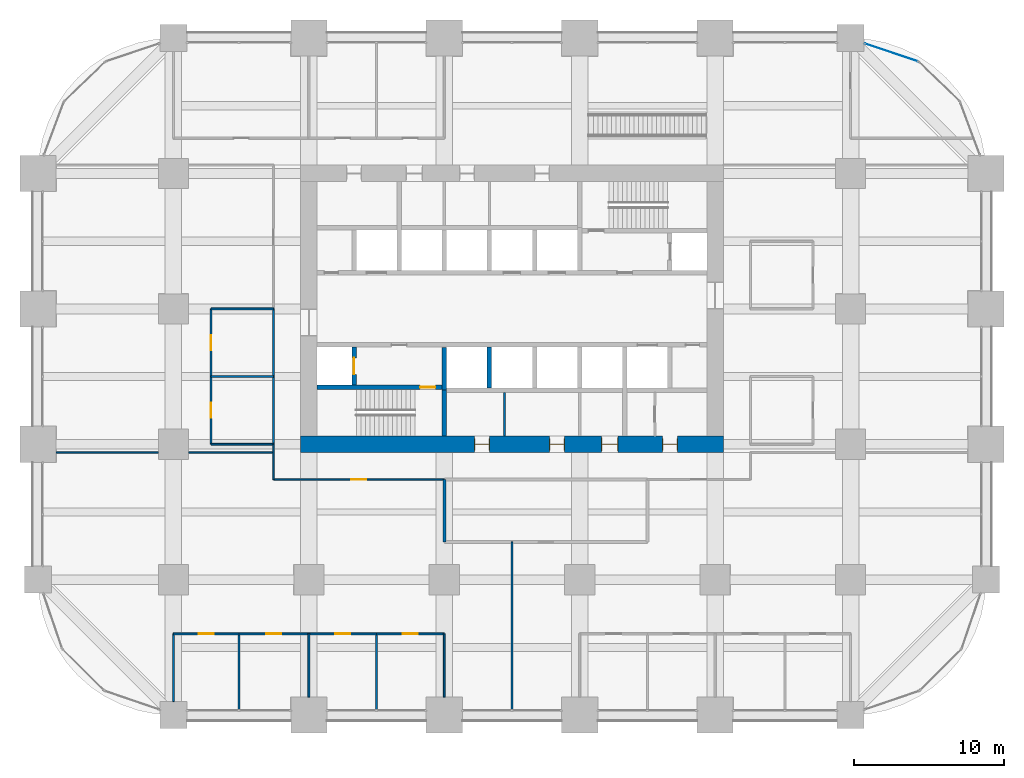
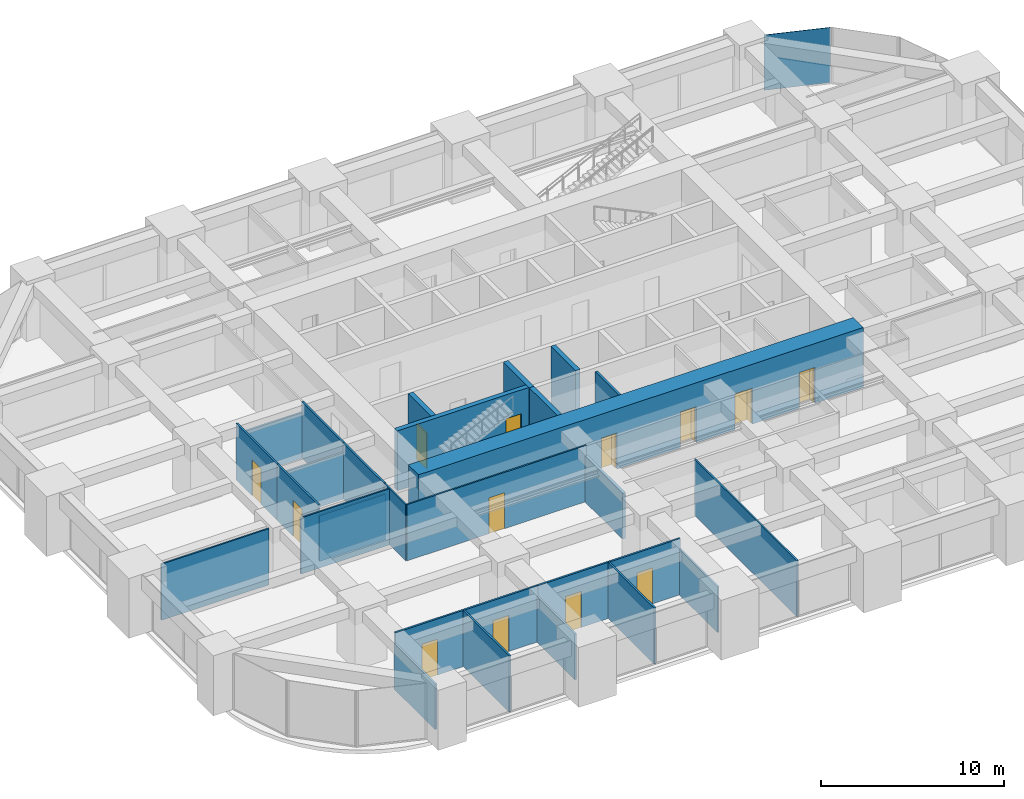
# One storey, part 36 of 41: 29 walls, 13 doors, 1 plate, 13 openings, 1 element without a shape of its own.
"""IFC4 building model written with IfcOpenShell, lengths in metres."""

from ifc_helpers import new_model, si_unit, direction, frame, frame_2d, origin, origin_2d, place, context, subcontext, project, spatial, rectangle, extrude, material, layer, layer_set, type_object, element, fill, aggregate, save


model = new_model("IFC4")

# Units and contexts
model_context = context("Model", 3, precision=1e-05, world=origin(), true_north=direction((0.0, 1.0)))
body_context = subcontext(model_context, "Body", "Model", "MODEL_VIEW")
ifc_project = project(units=[si_unit("LENGTHUNIT", "METRE"), si_unit("AREAUNIT", "SQUARE_METRE"), si_unit("VOLUMEUNIT", "CUBIC_METRE"), si_unit("PLANEANGLEUNIT", "RADIAN"), si_unit("MASSUNIT", "GRAM", prefix="KILO")], contexts=[model_context])

# Site, building, storey
site_placement = place(None, origin())
site = spatial("IfcSite", under=ifc_project, at=site_placement, CompositionType="ELEMENT")
building_placement = place(site_placement, origin())
building = spatial("IfcBuilding", under=site, at=building_placement, Name="Zorevar Civic Tower", CompositionType="ELEMENT")
storey_placement = place(building_placement, frame((0.0, 0.0, 97.0)))
storey = spatial("IfcBuildingStorey", under=building, at=storey_placement, Name="L23", CompositionType="ELEMENT", Elevation=97.0)

# Curtain wall, plate
ifc_material_1 = material(Name="Dark grey solar-control glass in black aluminium frame", Category="aluminium")
curtain_wall_type = type_object("IfcCurtainWallType", Name="Curtain wall CW3 mid zone", PredefinedType="NOTDEFINED", material=ifc_material_1)
curtain_wall_placement = place(storey_placement, origin())
curtain_wall = element("IfcCurtainWall", 1, at=curtain_wall_placement, inside=storey, type_object=curtain_wall_type, Name="CW3 L23", PredefinedType="NOTDEFINED")
ifc_material_2 = material(Name="Dark grey solar-control glass", Category="glass")
ifc_layer_1 = layer(ifc_material_2, 0.030029296875)
ifc_layer_set_1 = layer_set([ifc_layer_1], Name="CW3 panel 30")
plate_type = type_object("IfcPlateType", Name="CW3 panel 30", PredefinedType="CURTAIN_PANEL", material=ifc_layer_set_1)
plate_placement = place(storey_placement, frame((56.7109375, 44.04296875, 0.06005859375), z_axis=(0.0, 0.0, 1.0), x_axis=(-0.947615765406, 0.319412525043, 0.0)))
plate = element("IfcPlate", 2, at=plate_placement, type_object=plate_type, Name="CW3 panel 1.1", PredefinedType="CURTAIN_PANEL", context=body_context, shape_type="SweptSolid", body=[
    extrude(rectangle(XDim=3.7021484375, YDim=0.030029296875, at=origin_2d()), origin(), (0.0, 0.0, 1.0), 3.68994140625),
])
aggregate(curtain_wall, [plate])

# Wall
ifc_material_3 = material(Name="Concrete blockwork", Category="masonry")
ifc_layer_2 = layer(ifc_material_3, 0.199951171875)
ifc_layer_set_2 = layer_set([ifc_layer_2], Name="Blockwork wall 200")
wall_type_1 = type_object("IfcWallType", Name="Blockwork wall 200", PredefinedType="SOLIDWALL", material=ifc_layer_set_2)
wall_1_placement = place(storey_placement, frame((27.0, 11.5, 0.0), z_axis=(0.0, 0.0, 1.0), x_axis=(0.0, 1.0, 0.0)))
element("IfcWall", 3, at=wall_1_placement, inside=storey, type_object=wall_type_1, Name="Blockwork wall 200 L23", PredefinedType="SOLIDWALL", context=body_context, shape_type="SweptSolid", body=[
    extrude(rectangle(XDim=4.14990234375, YDim=0.199951171875, at=frame_2d((2.074951171875, 0.0))), origin(), (0.0, 0.0, 1.0), 3.050048828125),
])

# Wall, openings, doors
ifc_material_4 = material(Name="Concrete C50/60", Category="concrete")
ifc_layer_3 = layer(ifc_material_4, 1.10009765625)
ifc_layer_set_3 = layer_set([ifc_layer_3], Name="Core wall 1100")
wall_type_2 = type_object("IfcWallType", Name="Core wall 1100", PredefinedType="SHEAR", material=ifc_layer_set_3)
wall_2_placement = place(storey_placement, frame((17.449951171875, 18.0, 0.0), z_axis=(0.0, 0.0, 1.0), x_axis=(1.0, 0.0, 0.0)))
wall_2 = element("IfcWall", 4, at=wall_2_placement, inside=storey, type_object=wall_type_2, Name="Core wall S L23", PredefinedType="SHEAR", context=body_context, shape_type="SweptSolid", body=[
    extrude(rectangle(XDim=28.10009765625, YDim=1.10009765625, at=frame_2d((14.050048828125, 0.0))), origin(), (0.0, 0.0, 1.0), 4.0),
])
opening_1_placement = place(wall_2_placement, frame((11.550048828125, 0.0, 0.0)))
opening_1 = element("IfcOpeningElement", 5, at=opening_1_placement, cuts=wall_2, Name="Opening L23.03", PredefinedType="OPENING", context=body_context, shape_type="SweptSolid", body=[
    extrude(rectangle(XDim=1.0, YDim=2.39990234375, at=frame_2d((0.5, 1.199951171875))), frame((0.0, 0.56005859375, 0.0), z_axis=(0.0, -1.0, 0.0), x_axis=(1.0, 0.0, 0.0)), (0.0, 0.0, 1.0), 1.1201171875),
])
opening_2_placement = place(wall_2_placement, frame((16.550048828125, 0.0, 0.0)))
opening_2 = element("IfcOpeningElement", 6, at=opening_2_placement, cuts=wall_2, Name="Opening L23.04", PredefinedType="OPENING", context=body_context, shape_type="SweptSolid", body=[
    extrude(rectangle(XDim=1.0, YDim=2.39990234375, at=frame_2d((0.5, 1.199951171875))), frame((0.0, 0.56005859375, 0.0), z_axis=(0.0, -1.0, 0.0), x_axis=(1.0, 0.0, 0.0)), (0.0, 0.0, 1.0), 1.1201171875),
])
opening_3_placement = place(wall_2_placement, frame((20.0, 0.0, 0.0)))
opening_3 = element("IfcOpeningElement", 7, at=opening_3_placement, cuts=wall_2, Name="Opening L23.05", PredefinedType="OPENING", context=body_context, shape_type="SweptSolid", body=[
    extrude(rectangle(XDim=1.10009765625, YDim=2.39990234375, at=frame_2d((0.550048828125, 1.199951171875))), frame((0.0, 0.56005859375, 0.0), z_axis=(0.0, -1.0, 0.0), x_axis=(1.0, 0.0, 0.0)), (0.0, 0.0, 1.0), 1.1201171875),
])
opening_4_placement = place(wall_2_placement, frame((24.050048828125, 0.0, 0.0)))
opening_4 = element("IfcOpeningElement", 8, at=opening_4_placement, cuts=wall_2, Name="Opening L23.06", PredefinedType="OPENING", context=body_context, shape_type="SweptSolid", body=[
    extrude(rectangle(XDim=1.0, YDim=2.39990234375, at=frame_2d((0.5, 1.199951171875))), frame((0.0, 0.56005859375, 0.0), z_axis=(0.0, -1.0, 0.0), x_axis=(1.0, 0.0, 0.0)), (0.0, 0.0, 1.0), 1.1201171875),
])
ifc_material_5 = material(Name="Timber door set", Category="wood")
door_type_1 = type_object("IfcDoorType", Name="Door D1 1000x2400", OperationType="SINGLE_SWING_LEFT", PredefinedType="DOOR", material=ifc_material_5)
door_1_placement = place(opening_1_placement, origin())
door_1 = element("IfcDoor", 9, at=door_1_placement, inside=storey, type_object=door_type_1, Name="Door L23 02", OperationType="SINGLE_SWING_RIGHT", OverallHeight=2.39990234375, OverallWidth=1.0, PredefinedType="DOOR", context=body_context, shape_type="SweptSolid", body=[
    extrude(rectangle(XDim=1.0, YDim=2.39990234375, at=frame_2d((0.5, 1.199951171875))), frame((0.0, 0.02490234375, 0.0), z_axis=(0.0, -1.0, 0.0), x_axis=(1.0, 0.0, 0.0)), (0.0, 0.0, 1.0), 0.050048828125),
    extrude(rectangle(XDim=0.04, YDim=2.39990234375, at=frame_2d((0.02001953125, 1.199951171875))), frame((0.0, 0.39990234375, 0.0), z_axis=(0.0, -1.0, 0.0), x_axis=(1.0, 0.0, 0.0)), (0.0, 0.0, 1.0), 0.800048828125),
    extrude(rectangle(XDim=0.04, YDim=2.39990234375, at=frame_2d((0.97998046875, 1.199951171875))), frame((0.0, 0.39990234375, 0.0), z_axis=(0.0, -1.0, 0.0), x_axis=(1.0, 0.0, 0.0)), (0.0, 0.0, 1.0), 0.800048828125),
    extrude(rectangle(XDim=1.0, YDim=0.04, at=frame_2d((0.5, 2.3798828125))), frame((0.0, 0.39990234375, 0.0), z_axis=(0.0, -1.0, 0.0), x_axis=(1.0, 0.0, 0.0)), (0.0, 0.0, 1.0), 0.800048828125),
])
fill(opening_1, door_1)
door_2_placement = place(opening_2_placement, origin())
door_2 = element("IfcDoor", 10, at=door_2_placement, inside=storey, type_object=door_type_1, Name="Door L23 03", OperationType="SINGLE_SWING_LEFT", OverallHeight=2.39990234375, OverallWidth=1.0, PredefinedType="DOOR", context=body_context, shape_type="SweptSolid", body=[
    extrude(rectangle(XDim=1.0, YDim=2.39990234375, at=frame_2d((0.5, 1.199951171875))), frame((0.0, 0.02490234375, 0.0), z_axis=(0.0, -1.0, 0.0), x_axis=(1.0, 0.0, 0.0)), (0.0, 0.0, 1.0), 0.050048828125),
    extrude(rectangle(XDim=0.04, YDim=2.39990234375, at=frame_2d((0.02001953125, 1.199951171875))), frame((0.0, 0.39990234375, 0.0), z_axis=(0.0, -1.0, 0.0), x_axis=(1.0, 0.0, 0.0)), (0.0, 0.0, 1.0), 0.800048828125),
    extrude(rectangle(XDim=0.04, YDim=2.39990234375, at=frame_2d((0.97998046875, 1.199951171875))), frame((0.0, 0.39990234375, 0.0), z_axis=(0.0, -1.0, 0.0), x_axis=(1.0, 0.0, 0.0)), (0.0, 0.0, 1.0), 0.800048828125),
    extrude(rectangle(XDim=1.0, YDim=0.04, at=frame_2d((0.5, 2.3798828125))), frame((0.0, 0.39990234375, 0.0), z_axis=(0.0, -1.0, 0.0), x_axis=(1.0, 0.0, 0.0)), (0.0, 0.0, 1.0), 0.800048828125),
])
fill(opening_2, door_2)
door_3_placement = place(opening_4_placement, origin())
door_3 = element("IfcDoor", 11, at=door_3_placement, inside=storey, type_object=door_type_1, Name="Door L23 05", OperationType="SINGLE_SWING_LEFT", OverallHeight=2.39990234375, OverallWidth=1.0, PredefinedType="DOOR", context=body_context, shape_type="SweptSolid", body=[
    extrude(rectangle(XDim=1.0, YDim=2.39990234375, at=frame_2d((0.5, 1.199951171875))), frame((0.0, 0.02490234375, 0.0), z_axis=(0.0, -1.0, 0.0), x_axis=(1.0, 0.0, 0.0)), (0.0, 0.0, 1.0), 0.050048828125),
    extrude(rectangle(XDim=0.04, YDim=2.39990234375, at=frame_2d((0.02001953125, 1.199951171875))), frame((0.0, 0.39990234375, 0.0), z_axis=(0.0, -1.0, 0.0), x_axis=(1.0, 0.0, 0.0)), (0.0, 0.0, 1.0), 0.800048828125),
    extrude(rectangle(XDim=0.04, YDim=2.39990234375, at=frame_2d((0.97998046875, 1.199951171875))), frame((0.0, 0.39990234375, 0.0), z_axis=(0.0, -1.0, 0.0), x_axis=(1.0, 0.0, 0.0)), (0.0, 0.0, 1.0), 0.800048828125),
    extrude(rectangle(XDim=1.0, YDim=0.04, at=frame_2d((0.5, 2.3798828125))), frame((0.0, 0.39990234375, 0.0), z_axis=(0.0, -1.0, 0.0), x_axis=(1.0, 0.0, 0.0)), (0.0, 0.0, 1.0), 0.800048828125),
])
fill(opening_4, door_3)
ifc_material_6 = material(Name="Timber door set", Category="wood")
door_type_2 = type_object("IfcDoorType", Name="Door D5 1100x2400", OperationType="SINGLE_SWING_LEFT", PredefinedType="DOOR", material=ifc_material_6)
door_4_placement = place(opening_3_placement, origin())
door_4 = element("IfcDoor", 12, at=door_4_placement, inside=storey, type_object=door_type_2, Name="Door L23 04", OperationType="SINGLE_SWING_LEFT", OverallHeight=2.39990234375, OverallWidth=1.10009765625, PredefinedType="DOOR", context=body_context, shape_type="SweptSolid", body=[
    extrude(rectangle(XDim=1.10009765625, YDim=2.39990234375, at=frame_2d((0.550048828125, 1.199951171875))), frame((0.0, 0.02490234375, 0.0), z_axis=(0.0, -1.0, 0.0), x_axis=(1.0, 0.0, 0.0)), (0.0, 0.0, 1.0), 0.050048828125),
    extrude(rectangle(XDim=0.04, YDim=2.39990234375, at=frame_2d((0.02001953125, 1.199951171875))), frame((0.0, 0.43994140625, 0.0), z_axis=(0.0, -1.0, 0.0), x_axis=(1.0, 0.0, 0.0)), (0.0, 0.0, 1.0), 0.880126953125),
    extrude(rectangle(XDim=0.04, YDim=2.39990234375, at=frame_2d((1.080078125, 1.199951171875))), frame((0.0, 0.43994140625, 0.0), z_axis=(0.0, -1.0, 0.0), x_axis=(1.0, 0.0, 0.0)), (0.0, 0.0, 1.0), 0.880126953125),
    extrude(rectangle(XDim=1.10009765625, YDim=0.04, at=frame_2d((0.550048828125, 2.3798828125))), frame((0.0, 0.43994140625, 0.0), z_axis=(0.0, -1.0, 0.0), x_axis=(1.0, 0.0, 0.0)), (0.0, 0.0, 1.0), 0.880126953125),
])
fill(opening_3, door_4)

# Wall, opening, door
ifc_material_7 = material(Name="Laminated glass in black aluminium frame", Category="aluminium")
ifc_layer_4 = layer(ifc_material_7, 0.10009765625)
ifc_layer_set_4 = layer_set([ifc_layer_4], Name="Glazed partition 100")
wall_type_3 = type_object("IfcWallType", Name="Glazed partition 100", PredefinedType="PARTITIONING", material=ifc_layer_set_4)
wall_3_placement = place(storey_placement, frame((15.64990234375, 15.64990234375, 0.0), z_axis=(0.0, 0.0, 1.0), x_axis=(1.0, 0.0, 0.0)))
wall_3 = element("IfcWall", 13, at=wall_3_placement, inside=storey, type_object=wall_type_3, Name="Glazed partition 100 L23", PredefinedType="PARTITIONING", context=body_context, shape_type="SweptSolid", body=[
    extrude(rectangle(XDim=11.35009765625, YDim=0.10009765625, at=frame_2d((5.675048828125, 0.0))), origin(), (0.0, 0.0, 1.0), 3.75),
])
opening_5_placement = place(wall_3_placement, frame((5.175048828125, 0.0, 0.0)))
opening_5 = element("IfcOpeningElement", 14, at=opening_5_placement, cuts=wall_3, Name="Opening L23.26", PredefinedType="OPENING", context=body_context, shape_type="SweptSolid", body=[
    extrude(rectangle(XDim=1.0, YDim=2.39990234375, at=frame_2d((0.5, 1.199951171875))), frame((0.0, 0.06005859375, 0.0), z_axis=(0.0, -1.0, 0.0), x_axis=(1.0, 0.0, 0.0)), (0.0, 0.0, 1.0), 0.1201171875),
])
ifc_material_8 = material(Name="Timber door set", Category="wood")
door_type_3 = type_object("IfcDoorType", Name="Glazed door GD1 1000x2400", OperationType="SINGLE_SWING_LEFT", PredefinedType="DOOR", material=ifc_material_8)
door_5_placement = place(opening_5_placement, origin())
door_5 = element("IfcDoor", 15, at=door_5_placement, inside=storey, type_object=door_type_3, Name="Door L23 D1", OperationType="SINGLE_SWING_RIGHT", OverallHeight=2.39990234375, OverallWidth=1.0, PredefinedType="DOOR", context=body_context, shape_type="SweptSolid", body=[
    extrude(rectangle(XDim=1.0, YDim=2.39990234375, at=frame_2d((0.5, 1.199951171875))), frame((0.0, 0.02001953125, 0.0), z_axis=(0.0, -1.0, 0.0), x_axis=(1.0, 0.0, 0.0)), (0.0, 0.0, 1.0), 0.0400390625),
])
fill(opening_5, door_5)

# Walls
wall_4_placement = place(storey_placement, frame((1.199951171875, 17.449951171875, 0.0), z_axis=(0.0, 0.0, 1.0), x_axis=(1.0, 0.0, 0.0)))
element("IfcWall", 16, at=wall_4_placement, inside=storey, type_object=wall_type_3, Name="Glazed partition 100 L23", PredefinedType="PARTITIONING", context=body_context, shape_type="SweptSolid", body=[
    extrude(rectangle(XDim=6.800048828125, YDim=0.10009765625, at=frame_2d((3.39990234375, 0.0))), origin(), (0.0, 0.0, 1.0), 3.75),
])
wall_5_placement = place(storey_placement, frame((10.0, 17.449951171875, 0.0), z_axis=(0.0, 0.0, 1.0), x_axis=(1.0, 0.0, 0.0)))
element("IfcWall", 17, at=wall_5_placement, inside=storey, type_object=wall_type_3, Name="Glazed partition 100 L23", PredefinedType="PARTITIONING", context=body_context, shape_type="SweptSolid", body=[
    extrude(rectangle(XDim=5.64990234375, YDim=0.10009765625, at=frame_2d((2.824951171875, 0.0))), origin(), (0.0, 0.0, 1.0), 3.75),
])
wall_6_placement = place(storey_placement, frame((15.64990234375, 15.64990234375, 0.0), z_axis=(0.0, 0.0, 1.0), x_axis=(0.0, 1.0, 0.0)))
element("IfcWall", 18, at=wall_6_placement, inside=storey, type_object=wall_type_3, Name="Glazed partition 100 L23", PredefinedType="PARTITIONING", context=body_context, shape_type="SweptSolid", body=[
    extrude(rectangle(XDim=2.35009765625, YDim=0.10009765625, at=frame_2d((1.175048828125, 0.0))), origin(), (0.0, 0.0, 1.0), 3.75),
])
wall_7_placement = place(storey_placement, frame((31.5, 0.31005859375, 0.0), z_axis=(0.0, 0.0, 1.0), x_axis=(0.0, 1.0, 0.0)))
element("IfcWall", 19, at=wall_7_placement, inside=storey, type_object=wall_type_3, Name="Glazed partition 100 L23", PredefinedType="PARTITIONING", context=body_context, shape_type="SweptSolid", body=[
    extrude(rectangle(XDim=11.199951171875, YDim=0.10009765625, at=frame_2d((5.60009765625, 0.0))), origin(), (0.0, 0.0, 1.0), 3.75),
])

# Wall, opening, door
ifc_material_9 = material(Name="Concrete C40/50", Category="concrete")
ifc_layer_5 = layer(ifc_material_9, 0.300048828125)
ifc_layer_set_5 = layer_set([ifc_layer_5], Name="Inner core wall 300")
wall_type_4 = type_object("IfcWallType", Name="Inner core wall 300", PredefinedType="SHEAR", material=ifc_layer_set_5)
wall_8_placement = place(storey_placement, frame((18.550048828125, 21.800048828125, 0.0), z_axis=(0.0, 0.0, 1.0), x_axis=(1.0, 0.0, 0.0)))
wall_8 = element("IfcWall", 20, at=wall_8_placement, inside=storey, type_object=wall_type_4, Name="Inner core wall S00 L23", PredefinedType="SHEAR", context=body_context, shape_type="SweptSolid", body=[
    extrude(rectangle(XDim=8.300048828125, YDim=0.300048828125, at=frame_2d((4.14990234375, 0.0))), origin(), (0.0, 0.0, 1.0), 4.0),
])
opening_6_placement = place(wall_8_placement, frame((6.85009765625, 0.0, 0.0)))
opening_6 = element("IfcOpeningElement", 21, at=opening_6_placement, cuts=wall_8, Name="Opening L23.11", PredefinedType="OPENING", context=body_context, shape_type="SweptSolid", body=[
    extrude(rectangle(XDim=1.0, YDim=2.39990234375, at=frame_2d((0.5, 1.199951171875))), frame((0.0, 0.159912109375, 0.0), z_axis=(0.0, -1.0, 0.0), x_axis=(1.0, 0.0, 0.0)), (0.0, 0.0, 1.0), 0.320068359375),
])
ifc_material_10 = material(Name="Steel door set", Category="steel")
door_type_4 = type_object("IfcDoorType", Name="Fire door FD1 1000x2400", OperationType="SINGLE_SWING_LEFT", PredefinedType="DOOR", material=ifc_material_10)
door_6_placement = place(opening_6_placement, origin())
door_6 = element("IfcDoor", 22, at=door_6_placement, inside=storey, type_object=door_type_4, Name="Door L23 10", OperationType="SINGLE_SWING_RIGHT", OverallHeight=2.39990234375, OverallWidth=1.0, PredefinedType="DOOR", context=body_context, shape_type="SweptSolid", body=[
    extrude(rectangle(XDim=1.0, YDim=2.39990234375, at=frame_2d((0.5, 1.199951171875))), frame((0.0, 0.030029296875, 0.0), z_axis=(0.0, -1.0, 0.0), x_axis=(1.0, 0.0, 0.0)), (0.0, 0.0, 1.0), 0.06005859375),
])
fill(opening_6, door_6)

# Wall
wall_9_placement = place(storey_placement, frame((27.0, 18.550048828125, 0.0), z_axis=(0.0, 0.0, 1.0), x_axis=(0.0, 1.0, 0.0)))
element("IfcWall", 23, at=wall_9_placement, inside=storey, type_object=wall_type_4, Name="Inner core wall S01 L23", PredefinedType="SHEAR", context=body_context, shape_type="SweptSolid", body=[
    extrude(rectangle(XDim=3.050048828125, YDim=0.300048828125, at=frame_2d((1.52490234375, 0.0))), origin(), (0.0, 0.0, 1.0), 4.0),
])

# Wall, opening, door
wall_10_placement = place(storey_placement, frame((21.0, 21.949951171875, 0.0), z_axis=(0.0, 0.0, 1.0), x_axis=(0.0, 1.0, 0.0)))
wall_10 = element("IfcWall", 24, at=wall_10_placement, inside=storey, type_object=wall_type_4, Name="Inner core wall S02 L23", PredefinedType="SHEAR", context=body_context, shape_type="SweptSolid", body=[
    extrude(rectangle(XDim=2.5, YDim=0.300048828125, at=frame_2d((1.25, 0.0))), origin(), (0.0, 0.0, 1.0), 4.0),
])
opening_7_placement = place(wall_10_placement, frame((0.699951171875, 0.0, 0.0)))
opening_7 = element("IfcOpeningElement", 25, at=opening_7_placement, cuts=wall_10, Name="Opening L23.FL1", PredefinedType="OPENING", context=body_context, shape_type="SweptSolid", body=[
    extrude(rectangle(XDim=1.10009765625, YDim=2.39990234375, at=frame_2d((0.550048828125, 1.199951171875))), frame((0.0, 0.159912109375, 0.0), z_axis=(0.0, -1.0, 0.0), x_axis=(1.0, 0.0, 0.0)), (0.0, 0.0, 1.0), 0.320068359375),
])
ifc_material_11 = material(Name="Steel door set", Category="steel")
door_type_5 = type_object("IfcDoorType", Name="Firefighting lift landing door LD3 1100x2400", OperationType="DOUBLE_DOOR_SLIDING", PredefinedType="DOOR", material=ifc_material_11)
door_7_placement = place(opening_7_placement, origin())
door_7 = element("IfcDoor", 26, at=door_7_placement, inside=storey, type_object=door_type_5, Name="Landing door FL1 L23", OperationType="DOUBLE_DOOR_SLIDING", OverallHeight=2.39990234375, OverallWidth=1.10009765625, PredefinedType="DOOR", context=body_context, shape_type="SweptSolid", body=[
    extrude(rectangle(XDim=1.10009765625, YDim=2.39990234375, at=frame_2d((0.550048828125, 1.199951171875))), frame((0.0, 0.030029296875, 0.0), z_axis=(0.0, -1.0, 0.0), x_axis=(1.0, 0.0, 0.0)), (0.0, 0.0, 1.0), 0.06005859375),
])
fill(opening_7, door_7)

# Walls
wall_11_placement = place(storey_placement, frame((30.0, 21.75, 0.0), z_axis=(0.0, 0.0, 1.0), x_axis=(0.0, 1.0, 0.0)))
element("IfcWall", 27, at=wall_11_placement, inside=storey, type_object=wall_type_4, Name="Inner core wall S05 L23", PredefinedType="SHEAR", context=body_context, shape_type="SweptSolid", body=[
    extrude(rectangle(XDim=2.699951171875, YDim=0.300048828125, at=frame_2d((1.35009765625, 0.0))), origin(), (0.0, 0.0, 1.0), 4.0),
])
wall_12_placement = place(storey_placement, frame((27.0, 21.60009765625, 0.0), z_axis=(0.0, 0.0, 1.0), x_axis=(0.0, 1.0, 0.0)))
element("IfcWall", 28, at=wall_12_placement, inside=storey, type_object=wall_type_4, Name="Inner core wall S10 L23", PredefinedType="SHEAR", context=body_context, shape_type="SweptSolid", body=[
    extrude(rectangle(XDim=2.849853515625, YDim=0.300048828125, at=frame_2d((1.4248046875, 0.0))), origin(), (0.0, 0.0, 1.0), 4.0),
])

# Wall, opening, door
ifc_material_12 = material(Name="Gypsum board on steel studs", Category="steel")
ifc_layer_6 = layer(ifc_material_12, 0.1201171875)
ifc_layer_set_6 = layer_set([ifc_layer_6], Name="Partition 120")
wall_type_5 = type_object("IfcWallType", Name="Partition 120", PredefinedType="PARTITIONING", material=ifc_layer_set_6)
wall_13_placement = place(storey_placement, frame((9.0, 5.39990234375, 0.0), z_axis=(0.0, 0.0, 1.0), x_axis=(1.0, 0.0, 0.0)))
wall_13 = element("IfcWall", 29, at=wall_13_placement, inside=storey, type_object=wall_type_5, Name="Partition 120 L23", PredefinedType="PARTITIONING", context=body_context, shape_type="SweptSolid", body=[
    extrude(rectangle(XDim=4.35009765625, YDim=0.1201171875, at=frame_2d((2.175048828125, 0.0))), origin(), (0.0, 0.0, 1.0), 3.75),
])
opening_8_placement = place(wall_13_placement, frame((1.675048828125, 0.0, 0.0)))
opening_8 = element("IfcOpeningElement", 30, at=opening_8_placement, cuts=wall_13, Name="Opening L23.17", PredefinedType="OPENING", context=body_context, shape_type="SweptSolid", body=[
    extrude(rectangle(XDim=1.0, YDim=2.39990234375, at=frame_2d((0.5, 1.199951171875))), frame((0.0, 0.070068359375, 0.0), z_axis=(0.0, -1.0, 0.0), x_axis=(1.0, 0.0, 0.0)), (0.0, 0.0, 1.0), 0.14013671875),
])
door_8_placement = place(opening_8_placement, origin())
door_8 = element("IfcDoor", 31, at=door_8_placement, inside=storey, type_object=door_type_1, Name="Door L23 D1", OperationType="SINGLE_SWING_RIGHT", OverallHeight=2.39990234375, OverallWidth=1.0, PredefinedType="DOOR", context=body_context, shape_type="SweptSolid", body=[
    extrude(rectangle(XDim=1.0, YDim=2.39990234375, at=frame_2d((0.5, 1.199951171875))), frame((0.0, 0.02490234375, 0.0), z_axis=(0.0, -1.0, 0.0), x_axis=(1.0, 0.0, 0.0)), (0.0, 0.0, 1.0), 0.050048828125),
])
fill(opening_8, door_8)

wall_14_placement = place(storey_placement, frame((13.35009765625, 5.39990234375, 0.0), z_axis=(0.0, 0.0, 1.0), x_axis=(1.0, 0.0, 0.0)))
wall_14 = element("IfcWall", 32, at=wall_14_placement, inside=storey, type_object=wall_type_5, Name="Partition 120 L23", PredefinedType="PARTITIONING", context=body_context, shape_type="SweptSolid", body=[
    extrude(rectangle(XDim=4.64990234375, YDim=0.1201171875, at=frame_2d((2.324951171875, 0.0))), origin(), (0.0, 0.0, 1.0), 3.75),
])
opening_9_placement = place(wall_14_placement, frame((1.824951171875, 0.0, 0.0)))
opening_9 = element("IfcOpeningElement", 33, at=opening_9_placement, cuts=wall_14, Name="Opening L23.18", PredefinedType="OPENING", context=body_context, shape_type="SweptSolid", body=[
    extrude(rectangle(XDim=1.0, YDim=2.39990234375, at=frame_2d((0.5, 1.199951171875))), frame((0.0, 0.070068359375, 0.0), z_axis=(0.0, -1.0, 0.0), x_axis=(1.0, 0.0, 0.0)), (0.0, 0.0, 1.0), 0.14013671875),
])
door_9_placement = place(opening_9_placement, origin())
door_9 = element("IfcDoor", 34, at=door_9_placement, inside=storey, type_object=door_type_1, Name="Door L23 D1", OperationType="SINGLE_SWING_RIGHT", OverallHeight=2.39990234375, OverallWidth=1.0, PredefinedType="DOOR", context=body_context, shape_type="SweptSolid", body=[
    extrude(rectangle(XDim=1.0, YDim=2.39990234375, at=frame_2d((0.5, 1.199951171875))), frame((0.0, 0.02490234375, 0.0), z_axis=(0.0, -1.0, 0.0), x_axis=(1.0, 0.0, 0.0)), (0.0, 0.0, 1.0), 0.050048828125),
])
fill(opening_9, door_9)

wall_15_placement = place(storey_placement, frame((18.0, 5.39990234375, 0.0), z_axis=(0.0, 0.0, 1.0), x_axis=(1.0, 0.0, 0.0)))
wall_15 = element("IfcWall", 35, at=wall_15_placement, inside=storey, type_object=wall_type_5, Name="Partition 120 L23", PredefinedType="PARTITIONING", context=body_context, shape_type="SweptSolid", body=[
    extrude(rectangle(XDim=4.5, YDim=0.1201171875, at=frame_2d((2.25, 0.0))), origin(), (0.0, 0.0, 1.0), 3.75),
])
opening_10_placement = place(wall_15_placement, frame((1.75, 0.0, 0.0)))
opening_10 = element("IfcOpeningElement", 36, at=opening_10_placement, cuts=wall_15, Name="Opening L23.19", PredefinedType="OPENING", context=body_context, shape_type="SweptSolid", body=[
    extrude(rectangle(XDim=1.0, YDim=2.39990234375, at=frame_2d((0.5, 1.199951171875))), frame((0.0, 0.070068359375, 0.0), z_axis=(0.0, -1.0, 0.0), x_axis=(1.0, 0.0, 0.0)), (0.0, 0.0, 1.0), 0.14013671875),
])
door_10_placement = place(opening_10_placement, origin())
door_10 = element("IfcDoor", 37, at=door_10_placement, inside=storey, type_object=door_type_1, Name="Door L23 D1", OperationType="SINGLE_SWING_LEFT", OverallHeight=2.39990234375, OverallWidth=1.0, PredefinedType="DOOR", context=body_context, shape_type="SweptSolid", body=[
    extrude(rectangle(XDim=1.0, YDim=2.39990234375, at=frame_2d((0.5, 1.199951171875))), frame((0.0, 0.02490234375, 0.0), z_axis=(0.0, -1.0, 0.0), x_axis=(1.0, 0.0, 0.0)), (0.0, 0.0, 1.0), 0.050048828125),
])
fill(opening_10, door_10)

wall_16_placement = place(storey_placement, frame((22.5, 5.39990234375, 0.0), z_axis=(0.0, 0.0, 1.0), x_axis=(1.0, 0.0, 0.0)))
wall_16 = element("IfcWall", 38, at=wall_16_placement, inside=storey, type_object=wall_type_5, Name="Partition 120 L23", PredefinedType="PARTITIONING", context=body_context, shape_type="SweptSolid", body=[
    extrude(rectangle(XDim=4.5, YDim=0.1201171875, at=frame_2d((2.25, 0.0))), origin(), (0.0, 0.0, 1.0), 3.75),
])
opening_11_placement = place(wall_16_placement, frame((1.75, 0.0, 0.0)))
opening_11 = element("IfcOpeningElement", 39, at=opening_11_placement, cuts=wall_16, Name="Opening L23.20", PredefinedType="OPENING", context=body_context, shape_type="SweptSolid", body=[
    extrude(rectangle(XDim=1.0, YDim=2.39990234375, at=frame_2d((0.5, 1.199951171875))), frame((0.0, 0.070068359375, 0.0), z_axis=(0.0, -1.0, 0.0), x_axis=(1.0, 0.0, 0.0)), (0.0, 0.0, 1.0), 0.14013671875),
])
door_11_placement = place(opening_11_placement, origin())
door_11 = element("IfcDoor", 40, at=door_11_placement, inside=storey, type_object=door_type_1, Name="Door L23 D1", OperationType="SINGLE_SWING_LEFT", OverallHeight=2.39990234375, OverallWidth=1.0, PredefinedType="DOOR", context=body_context, shape_type="SweptSolid", body=[
    extrude(rectangle(XDim=1.0, YDim=2.39990234375, at=frame_2d((0.5, 1.199951171875))), frame((0.0, 0.02490234375, 0.0), z_axis=(0.0, -1.0, 0.0), x_axis=(1.0, 0.0, 0.0)), (0.0, 0.0, 1.0), 0.050048828125),
])
fill(opening_11, door_11)

# Walls
wall_17_placement = place(storey_placement, frame((11.5, 18.0, 0.0), z_axis=(0.0, 0.0, 1.0), x_axis=(1.0, 0.0, 0.0)))
element("IfcWall", 41, at=wall_17_placement, inside=storey, type_object=wall_type_5, Name="Partition 120 L23", PredefinedType="PARTITIONING", context=body_context, shape_type="SweptSolid", body=[
    extrude(rectangle(XDim=4.14990234375, YDim=0.1201171875, at=frame_2d((2.074951171875, 0.0))), origin(), (0.0, 0.0, 1.0), 3.050048828125),
])
wall_18_placement = place(storey_placement, frame((11.5, 22.5, 0.0), z_axis=(0.0, 0.0, 1.0), x_axis=(1.0, 0.0, 0.0)))
element("IfcWall", 42, at=wall_18_placement, inside=storey, type_object=wall_type_5, Name="Partition 120 L23", PredefinedType="PARTITIONING", context=body_context, shape_type="SweptSolid", body=[
    extrude(rectangle(XDim=4.14990234375, YDim=0.1201171875, at=frame_2d((2.074951171875, 0.0))), origin(), (0.0, 0.0, 1.0), 3.10009765625),
])
wall_19_placement = place(storey_placement, frame((11.5, 27.0, 0.0), z_axis=(0.0, 0.0, 1.0), x_axis=(1.0, 0.0, 0.0)))
element("IfcWall", 43, at=wall_19_placement, inside=storey, type_object=wall_type_5, Name="Partition 120 L23", PredefinedType="PARTITIONING", context=body_context, shape_type="SweptSolid", body=[
    extrude(rectangle(XDim=4.14990234375, YDim=0.1201171875, at=frame_2d((2.074951171875, 0.0))), origin(), (0.0, 0.0, 1.0), 3.050048828125),
])
wall_20_placement = place(storey_placement, frame((9.0, 0.89990234375, 0.0), z_axis=(0.0, 0.0, 1.0), x_axis=(0.0, 1.0, 0.0)))
element("IfcWall", 44, at=wall_20_placement, inside=storey, type_object=wall_type_5, Name="Partition 120 L23", PredefinedType="PARTITIONING", context=body_context, shape_type="SweptSolid", body=[
    extrude(rectangle(XDim=4.5, YDim=0.1201171875, at=frame_2d((2.25, 0.0))), origin(), (0.0, 0.0, 1.0), 3.050048828125),
])

# Wall, opening, door
wall_21_placement = place(storey_placement, frame((11.5, 18.0, 0.0), z_axis=(0.0, 0.0, 1.0), x_axis=(0.0, 1.0, 0.0)))
wall_21 = element("IfcWall", 45, at=wall_21_placement, inside=storey, type_object=wall_type_5, Name="Partition 120 L23", PredefinedType="PARTITIONING", context=body_context, shape_type="SweptSolid", body=[
    extrude(rectangle(XDim=4.5, YDim=0.1201171875, at=frame_2d((2.25, 0.0))), origin(), (0.0, 0.0, 1.0), 3.75),
])
opening_12_placement = place(wall_21_placement, frame((1.75, 0.0, 0.0)))
opening_12 = element("IfcOpeningElement", 46, at=opening_12_placement, cuts=wall_21, Name="Opening L23.31", PredefinedType="OPENING", context=body_context, shape_type="SweptSolid", body=[
    extrude(rectangle(XDim=1.0, YDim=2.39990234375, at=frame_2d((0.5, 1.199951171875))), frame((0.0, 0.070068359375, 0.0), z_axis=(0.0, -1.0, 0.0), x_axis=(1.0, 0.0, 0.0)), (0.0, 0.0, 1.0), 0.14013671875),
])
door_12_placement = place(opening_12_placement, origin())
door_12 = element("IfcDoor", 47, at=door_12_placement, inside=storey, type_object=door_type_1, Name="Door L23 D1", OperationType="SINGLE_SWING_RIGHT", OverallHeight=2.39990234375, OverallWidth=1.0, PredefinedType="DOOR", context=body_context, shape_type="SweptSolid", body=[
    extrude(rectangle(XDim=1.0, YDim=2.39990234375, at=frame_2d((0.5, 1.199951171875))), frame((0.0, 0.02490234375, 0.0), z_axis=(0.0, -1.0, 0.0), x_axis=(1.0, 0.0, 0.0)), (0.0, 0.0, 1.0), 0.050048828125),
])
fill(opening_12, door_12)

wall_22_placement = place(storey_placement, frame((11.5, 22.5, 0.0), z_axis=(0.0, 0.0, 1.0), x_axis=(0.0, 1.0, 0.0)))
wall_22 = element("IfcWall", 48, at=wall_22_placement, inside=storey, type_object=wall_type_5, Name="Partition 120 L23", PredefinedType="PARTITIONING", context=body_context, shape_type="SweptSolid", body=[
    extrude(rectangle(XDim=4.5, YDim=0.1201171875, at=frame_2d((2.25, 0.0))), origin(), (0.0, 0.0, 1.0), 3.75),
])
opening_13_placement = place(wall_22_placement, frame((1.75, 0.0, 0.0)))
opening_13 = element("IfcOpeningElement", 49, at=opening_13_placement, cuts=wall_22, Name="Opening L23.32", PredefinedType="OPENING", context=body_context, shape_type="SweptSolid", body=[
    extrude(rectangle(XDim=1.0, YDim=2.39990234375, at=frame_2d((0.5, 1.199951171875))), frame((0.0, 0.070068359375, 0.0), z_axis=(0.0, -1.0, 0.0), x_axis=(1.0, 0.0, 0.0)), (0.0, 0.0, 1.0), 0.14013671875),
])
door_13_placement = place(opening_13_placement, origin())
door_13 = element("IfcDoor", 50, at=door_13_placement, inside=storey, type_object=door_type_1, Name="Door L23 D1", OperationType="SINGLE_SWING_RIGHT", OverallHeight=2.39990234375, OverallWidth=1.0, PredefinedType="DOOR", context=body_context, shape_type="SweptSolid", body=[
    extrude(rectangle(XDim=1.0, YDim=2.39990234375, at=frame_2d((0.5, 1.199951171875))), frame((0.0, 0.02490234375, 0.0), z_axis=(0.0, -1.0, 0.0), x_axis=(1.0, 0.0, 0.0)), (0.0, 0.0, 1.0), 0.050048828125),
])
fill(opening_13, door_13)

# Walls
wall_23_placement = place(storey_placement, frame((13.35009765625, 0.31005859375, 0.0), z_axis=(0.0, 0.0, 1.0), x_axis=(0.0, 1.0, 0.0)))
element("IfcWall", 51, at=wall_23_placement, inside=storey, type_object=wall_type_5, Name="Partition 120 L23", PredefinedType="PARTITIONING", context=body_context, shape_type="SweptSolid", body=[
    extrude(rectangle(XDim=5.08984375, YDim=0.1201171875, at=frame_2d((2.544921875, 0.0))), origin(), (0.0, 0.0, 1.0), 3.75),
])
for number, where, z_axis, x_axis, name in (
    (52, (15.64990234375, 18.0, 0.0), (0.0, 0.0, 1.0), (0.0, 1.0, 0.0), "Partition 120 L23"),
    (53, (15.64990234375, 22.5, 0.0), (0.0, 0.0, 1.0), (0.0, 1.0, 0.0), "Partition 120 L23"),
):
    element("IfcWall", number, at=place(storey_placement, frame(where, z_axis=z_axis, x_axis=x_axis)), inside=storey, type_object=wall_type_5, Name=name, PredefinedType="PARTITIONING", context=body_context, shape_type="SweptSolid", body=[
        extrude(rectangle(XDim=4.5, YDim=0.1201171875, at=frame_2d((2.25, 0.0))), origin(), (0.0, 0.0, 1.0), 3.75),
    ])
wall_24_placement = place(storey_placement, frame((18.0, 1.199951171875, 0.0), z_axis=(0.0, 0.0, 1.0), x_axis=(0.0, 1.0, 0.0)))
element("IfcWall", 54, at=wall_24_placement, inside=storey, type_object=wall_type_5, Name="Partition 120 L23", PredefinedType="PARTITIONING", context=body_context, shape_type="SweptSolid", body=[
    extrude(rectangle(XDim=4.199951171875, YDim=0.1201171875, at=frame_2d((2.10009765625, 0.0))), origin(), (0.0, 0.0, 1.0), 3.050048828125),
])
wall_25_placement = place(storey_placement, frame((22.5, 0.31005859375, 0.0), z_axis=(0.0, 0.0, 1.0), x_axis=(0.0, 1.0, 0.0)))
element("IfcWall", 55, at=wall_25_placement, inside=storey, type_object=wall_type_5, Name="Partition 120 L23", PredefinedType="PARTITIONING", context=body_context, shape_type="SweptSolid", body=[
    extrude(rectangle(XDim=5.08984375, YDim=0.1201171875, at=frame_2d((2.544921875, 0.0))), origin(), (0.0, 0.0, 1.0), 3.75),
])
wall_26_placement = place(storey_placement, frame((27.0, 1.199951171875, 0.0), z_axis=(0.0, 0.0, 1.0), x_axis=(0.0, 1.0, 0.0)))
element("IfcWall", 56, at=wall_26_placement, inside=storey, type_object=wall_type_5, Name="Partition 120 L23", PredefinedType="PARTITIONING", context=body_context, shape_type="SweptSolid", body=[
    extrude(rectangle(XDim=4.199951171875, YDim=0.1201171875, at=frame_2d((2.10009765625, 0.0))), origin(), (0.0, 0.0, 1.0), 3.050048828125),
])
ifc_material_13 = material(Name="Gypsum board on steel studs, moisture resistant", Category="steel")
ifc_layer_7 = layer(ifc_material_13, 0.14990234375)
ifc_layer_set_7 = layer_set([ifc_layer_7], Name="WC partition 150")
wall_type_6 = type_object("IfcWallType", Name="WC partition 150", PredefinedType="PARTITIONING", material=ifc_layer_set_7)
wall_27_placement = place(storey_placement, frame((31.0, 18.550048828125, 0.0), z_axis=(0.0, 0.0, 1.0), x_axis=(0.0, 1.0, 0.0)))
element("IfcWall", 57, at=wall_27_placement, inside=storey, type_object=wall_type_6, Name="WC partition L23", PredefinedType="PARTITIONING", context=body_context, shape_type="SweptSolid", body=[
    extrude(rectangle(XDim=2.89990234375, YDim=0.14990234375, at=frame_2d((1.449951171875, 0.0))), origin(), (0.0, 0.0, 1.0), 3.75),
])

save(model, "model.ifc")
